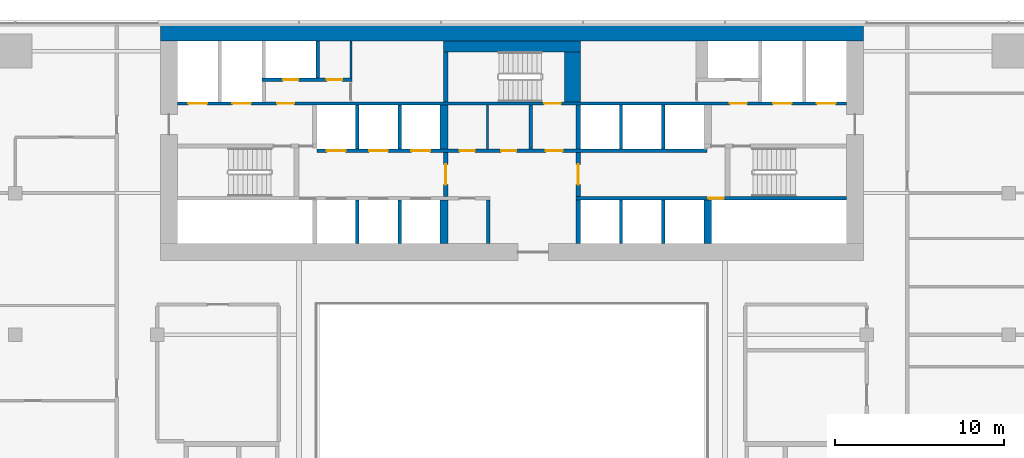
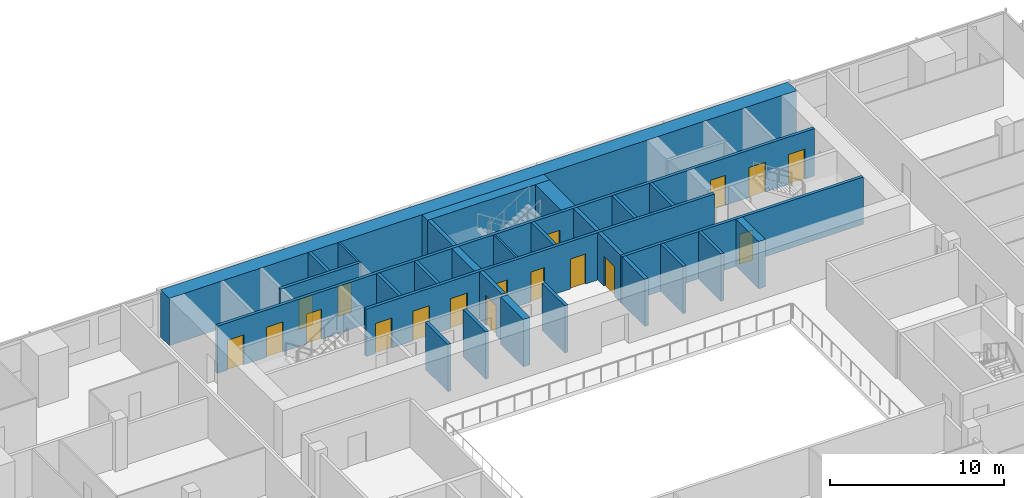
# One storey, part 19 of 27: 28 walls, 18 doors, 18 openings.
"""IFC4 building model written with IfcOpenShell, lengths in metres."""

from ifc_helpers import new_model, si_unit, direction, frame, frame_2d, origin, place, context, subcontext, project, spatial, rectangle, extrude, material, layer, layer_set, type_object, element, fill, save


model = new_model("IFC4")

# Units and contexts
model_context = context("Model", 3, precision=1e-05, world=origin(), true_north=direction((0.0, 1.0)))
body_context = subcontext(model_context, "Body", "Model", "MODEL_VIEW")
ifc_project = project(units=[si_unit("LENGTHUNIT", "METRE"), si_unit("AREAUNIT", "SQUARE_METRE"), si_unit("VOLUMEUNIT", "CUBIC_METRE"), si_unit("PLANEANGLEUNIT", "RADIAN"), si_unit("MASSUNIT", "GRAM", prefix="KILO")], contexts=[model_context])

# Site, building, storey
site_placement = place(None, origin())
site = spatial("IfcSite", under=ifc_project, at=site_placement, CompositionType="ELEMENT")
building_placement = place(site_placement, origin())
building = spatial("IfcBuilding", under=site, at=building_placement, Name="Saffron Gate Tower", CompositionType="ELEMENT")
storey_placement = place(building_placement, frame((0.0, 0.0, 134.85009765625)))
storey = spatial("IfcBuildingStorey", under=building, at=storey_placement, Name="L32", CompositionType="ELEMENT", Elevation=134.85009765625)

# Walls
ifc_material_1 = material(Name="Gypsum board partition on steel studs", Category="steel")
ifc_layer_1 = layer(ifc_material_1, 0.199951171875)
ifc_layer_set_1 = layer_set([ifc_layer_1], Name="CW10 Core partition 200")
wall_type_1 = type_object("IfcWallType", Name="CW10 Core partition 200", PredefinedType="PARTITIONING", material=ifc_layer_set_1)
for number, where, z_axis, x_axis, name in (
    (1, (86.199951171875, 62.39990234375, 0.0), (0.0, 0.0, 1.0), (0.0, 1.0, 0.0), "Wall CW10-L32-9"),
    (2, (88.699951171875, 68.0, 0.0), (0.0, 0.0, 1.0), (0.0, 1.0, 0.0), "Wall CW10-L32-25"),
):
    element("IfcWall", number, at=place(storey_placement, frame(where, z_axis=z_axis, x_axis=x_axis)), inside=storey, type_object=wall_type_1, Name=name, PredefinedType="PARTITIONING", context=body_context, shape_type="SweptSolid", body=[
        extrude(rectangle(XDim=2.60009765625, YDim=0.199951171875, at=frame_2d((1.300048828125, 0.0))), origin(), (0.0, 0.0, 1.0), 3.31982421875),
    ])
ifc_material_2 = material(Name="Concrete C70", Category="concrete")
ifc_layer_2 = layer(ifc_material_2, 1.0)
ifc_layer_set_2 = layer_set([ifc_layer_2], Name="CW12 RC core wall 1000 C70")
wall_type_2 = type_object("IfcWallType", Name="CW12 RC core wall 1000 C70", PredefinedType="SOLIDWALL", material=ifc_layer_set_2)
wall_1_placement = place(storey_placement, frame((66.800048828125, 74.89990234375, 0.0), z_axis=(0.0, 0.0, 1.0), x_axis=(1.0, 0.0, 0.0)))
element("IfcWall", 3, at=wall_1_placement, inside=storey, type_object=wall_type_2, Name="Wall CW12-L32-2", PredefinedType="SOLIDWALL", context=body_context, shape_type="SweptSolid", body=[
    extrude(rectangle(XDim=41.599853515625, YDim=1.0, at=frame_2d((20.7998046875, 0.0))), origin(), (0.0, 0.0, 1.0), 3.31982421875),
])
ifc_layer_3 = layer(ifc_material_2, 0.25)
ifc_layer_set_3 = layer_set([ifc_layer_3], Name="CW2 RC core wall 250 C70")
wall_type_3 = type_object("IfcWallType", Name="CW2 RC core wall 250 C70", PredefinedType="SOLIDWALL", material=ifc_layer_set_3)
wall_2_placement = place(storey_placement, frame((91.52490234375, 62.39990234375, 0.0), z_axis=(0.0, 0.0, 1.0), x_axis=(0.0, 1.0, 0.0)))
element("IfcWall", 4, at=wall_2_placement, inside=storey, type_object=wall_type_3, Name="Wall CW2-L32-10", PredefinedType="SOLIDWALL", context=body_context, shape_type="SweptSolid", body=[
    extrude(rectangle(XDim=2.60009765625, YDim=0.25, at=frame_2d((1.300048828125, 0.0))), origin(), (0.0, 0.0, 1.0), 3.31982421875),
])

# Wall, opening, door
wall_3_placement = place(storey_placement, frame((83.675048828125, 65.199951171875, 0.0), z_axis=(0.0, 0.0, 1.0), x_axis=(0.0, 1.0, 0.0)))
wall_3 = element("IfcWall", 5, at=wall_3_placement, inside=storey, type_object=wall_type_3, Name="Wall CW2-L32-17", PredefinedType="SOLIDWALL", context=body_context, shape_type="SweptSolid", body=[
    extrude(rectangle(XDim=2.60009765625, YDim=0.25, at=frame_2d((1.300048828125, 0.0))), origin(), (0.0, 0.0, 1.0), 3.31982421875),
])
opening_1_placement = place(wall_3_placement, frame((0.699951171875, 0.0, 0.0)))
opening_1 = element("IfcOpeningElement", 6, at=opening_1_placement, cuts=wall_3, Name="Opening CR-07", PredefinedType="OPENING", context=body_context, shape_type="SweptSolid", body=[
    extrude(rectangle(XDim=1.199951171875, YDim=2.10009765625, at=frame_2d((0.60009765625, 1.050048828125))), frame((0.0, 0.135009765625, 0.0), z_axis=(0.0, -1.0, 0.0), x_axis=(1.0, 0.0, 0.0)), (0.0, 0.0, 1.0), 0.27001953125),
])
ifc_material_3 = material(Name="Steel fire door set", Category="steel")
door_type_1 = type_object("IfcDoorType", Name="CD3 Lobby door 1200x2100 EI 120", OperationType="NOTDEFINED", PredefinedType="DOOR", material=ifc_material_3)
door_1_placement = place(opening_1_placement, origin())
door_1 = element("IfcDoor", 7, at=door_1_placement, inside=storey, type_object=door_type_1, Name="DOOR CR-07", OperationType="SINGLE_SWING_RIGHT", OverallHeight=2.10009765625, OverallWidth=1.199951171875, PredefinedType="DOOR", context=body_context, shape_type="SweptSolid", body=[
    extrude(rectangle(XDim=1.199951171875, YDim=2.10009765625, at=frame_2d((0.60009765625, 1.050048828125))), frame((0.0, 0.02490234375, 0.0), z_axis=(0.0, -1.0, 0.0), x_axis=(1.0, 0.0, 0.0)), (0.0, 0.0, 1.0), 0.050048828125),
])
fill(opening_1, door_1)

wall_4_placement = place(storey_placement, frame((91.52490234375, 65.199951171875, 0.0), z_axis=(0.0, 0.0, 1.0), x_axis=(0.0, 1.0, 0.0)))
wall_4 = element("IfcWall", 8, at=wall_4_placement, inside=storey, type_object=wall_type_3, Name="Wall CW2-L32-18", PredefinedType="SOLIDWALL", context=body_context, shape_type="SweptSolid", body=[
    extrude(rectangle(XDim=2.60009765625, YDim=0.25, at=frame_2d((1.300048828125, 0.0))), origin(), (0.0, 0.0, 1.0), 3.31982421875),
])
opening_2_placement = place(wall_4_placement, frame((0.699951171875, 0.0, 0.0)))
opening_2 = element("IfcOpeningElement", 9, at=opening_2_placement, cuts=wall_4, Name="Opening CR-01", PredefinedType="OPENING", context=body_context, shape_type="SweptSolid", body=[
    extrude(rectangle(XDim=1.199951171875, YDim=2.10009765625, at=frame_2d((0.60009765625, 1.050048828125))), frame((0.0, 0.135009765625, 0.0), z_axis=(0.0, -1.0, 0.0), x_axis=(1.0, 0.0, 0.0)), (0.0, 0.0, 1.0), 0.27001953125),
])
door_2_placement = place(opening_2_placement, origin())
door_2 = element("IfcDoor", 10, at=door_2_placement, inside=storey, type_object=door_type_1, Name="DOOR CR-01", OperationType="SINGLE_SWING_RIGHT", OverallHeight=2.10009765625, OverallWidth=1.199951171875, PredefinedType="DOOR", context=body_context, shape_type="SweptSolid", body=[
    extrude(rectangle(XDim=1.199951171875, YDim=2.10009765625, at=frame_2d((0.60009765625, 1.050048828125))), frame((0.0, 0.02490234375, 0.0), z_axis=(0.0, -1.0, 0.0), x_axis=(1.0, 0.0, 0.0)), (0.0, 0.0, 1.0), 0.050048828125),
])
fill(opening_2, door_2)

# Walls
wall_5_placement = place(storey_placement, frame((91.52490234375, 68.0, 0.0), z_axis=(0.0, 0.0, 1.0), x_axis=(0.0, 1.0, 0.0)))
element("IfcWall", 11, at=wall_5_placement, inside=storey, type_object=wall_type_3, Name="Wall CW2-L32-26", PredefinedType="SOLIDWALL", context=body_context, shape_type="SweptSolid", body=[
    extrude(rectangle(XDim=2.60009765625, YDim=0.25, at=frame_2d((1.300048828125, 0.0))), origin(), (0.0, 0.0, 1.0), 3.31982421875),
])
wall_6_placement = place(storey_placement, frame((83.675048828125, 70.800048828125, 0.0), z_axis=(0.0, 0.0, 1.0), x_axis=(0.0, 1.0, 0.0)))
element("IfcWall", 12, at=wall_6_placement, inside=storey, type_object=wall_type_3, Name="Wall CW2-L32-38", PredefinedType="SOLIDWALL", context=body_context, shape_type="SweptSolid", body=[
    extrude(rectangle(XDim=2.949951171875, YDim=0.25, at=frame_2d((1.47509765625, 0.0))), origin(), (0.0, 0.0, 1.0), 3.31982421875),
])
ifc_layer_4 = layer(ifc_material_2, 0.199951171875)
ifc_layer_set_4 = layer_set([ifc_layer_4], Name="CW3 RC core wall 200 C70")
wall_type_4 = type_object("IfcWallType", Name="CW3 RC core wall 200 C70", PredefinedType="SOLIDWALL", material=ifc_layer_set_4)
for number, where, z_axis, x_axis, name in (
    (13, (78.449951171875, 62.39990234375, 0.0), (0.0, 0.0, 1.0), (0.0, 1.0, 0.0), "Wall CW3-L32-6"),
    (14, (80.949951171875, 62.39990234375, 0.0), (0.0, 0.0, 1.0), (0.0, 1.0, 0.0), "Wall CW3-L32-7"),
    (15, (94.050048828125, 62.39990234375, 0.0), (0.0, 0.0, 1.0), (0.0, 1.0, 0.0), "Wall CW3-L32-11"),
    (16, (96.550048828125, 62.39990234375, 0.0), (0.0, 0.0, 1.0), (0.0, 1.0, 0.0), "Wall CW3-L32-12"),
):
    element("IfcWall", number, at=place(storey_placement, frame(where, z_axis=z_axis, x_axis=x_axis)), inside=storey, type_object=wall_type_4, Name=name, PredefinedType="SOLIDWALL", context=body_context, shape_type="SweptSolid", body=[
        extrude(rectangle(XDim=2.60009765625, YDim=0.199951171875, at=frame_2d((1.300048828125, 0.0))), origin(), (0.0, 0.0, 1.0), 3.31982421875),
    ])

# Wall, opening, door
wall_7_placement = place(storey_placement, frame((91.39990234375, 65.10009765625, 0.0), z_axis=(0.0, 0.0, 1.0), x_axis=(1.0, 0.0, 0.0)))
wall_7 = element("IfcWall", 17, at=wall_7_placement, inside=storey, type_object=wall_type_4, Name="Wall CW3-L32-15", PredefinedType="SOLIDWALL", context=body_context, shape_type="SweptSolid", body=[
    extrude(rectangle(XDim=16.0, YDim=0.199951171875, at=frame_2d((8.0, 0.0))), origin(), (0.0, 0.0, 1.0), 3.31982421875),
])
opening_3_placement = place(wall_7_placement, frame((7.830078125, 0.0, 0.0)))
opening_3 = element("IfcOpeningElement", 18, at=opening_3_placement, cuts=wall_7, Name="Opening CR-48", PredefinedType="OPENING", context=body_context, shape_type="SweptSolid", body=[
    extrude(rectangle(XDim=0.89990234375, YDim=2.10009765625, at=frame_2d((0.449951171875, 1.050048828125))), frame((0.0, 0.10986328125, 0.0), z_axis=(0.0, -1.0, 0.0), x_axis=(1.0, 0.0, 0.0)), (0.0, 0.0, 1.0), 0.219970703125),
])
door_type_2 = type_object("IfcDoorType", Name="CD2 Riser door 900x2100 EI 60", OperationType="NOTDEFINED", PredefinedType="DOOR", material=ifc_material_3)
door_3_placement = place(opening_3_placement, origin())
door_3 = element("IfcDoor", 19, at=door_3_placement, inside=storey, type_object=door_type_2, Name="DOOR CR-48", OperationType="SINGLE_SWING_RIGHT", OverallHeight=2.10009765625, OverallWidth=0.89990234375, PredefinedType="DOOR", context=body_context, shape_type="SweptSolid", body=[
    extrude(rectangle(XDim=0.89990234375, YDim=2.10009765625, at=frame_2d((0.449951171875, 1.050048828125))), frame((0.0, 0.02490234375, 0.0), z_axis=(0.0, -1.0, 0.0), x_axis=(1.0, 0.0, 0.0)), (0.0, 0.0, 1.0), 0.050048828125),
])
fill(opening_3, door_3)

# Wall, openings, doors
wall_8_placement = place(storey_placement, frame((76.050048828125, 67.89990234375, 0.0), z_axis=(0.0, 0.0, 1.0), x_axis=(1.0, 0.0, 0.0)))
wall_8 = element("IfcWall", 20, at=wall_8_placement, inside=storey, type_object=wall_type_4, Name="Wall CW3-L32-20", PredefinedType="SOLIDWALL", context=body_context, shape_type="SweptSolid", body=[
    extrude(rectangle(XDim=23.099853515625, YDim=0.199951171875, at=frame_2d((11.5498046875, 0.0))), origin(), (0.0, 0.0, 1.0), 3.31982421875),
])
opening_4_placement = place(wall_8_placement, frame((0.60009765625, 0.0, 0.0)))
opening_4 = element("IfcOpeningElement", 21, at=opening_4_placement, cuts=wall_8, Name="Opening LD-LR4", PredefinedType="OPENING", context=body_context, shape_type="SweptSolid", body=[
    extrude(rectangle(XDim=1.10009765625, YDim=2.10009765625, at=frame_2d((0.550048828125, 1.050048828125))), frame((0.0, 0.10986328125, 0.0), z_axis=(0.0, -1.0, 0.0), x_axis=(1.0, 0.0, 0.0)), (0.0, 0.0, 1.0), 0.219970703125),
])
opening_5_placement = place(wall_8_placement, frame((3.10009765625, 0.0, 0.0)))
opening_5 = element("IfcOpeningElement", 22, at=opening_5_placement, cuts=wall_8, Name="Opening LD-LR5", PredefinedType="OPENING", context=body_context, shape_type="SweptSolid", body=[
    extrude(rectangle(XDim=1.10009765625, YDim=2.10009765625, at=frame_2d((0.550048828125, 1.050048828125))), frame((0.0, 0.10986328125, 0.0), z_axis=(0.0, -1.0, 0.0), x_axis=(1.0, 0.0, 0.0)), (0.0, 0.0, 1.0), 0.219970703125),
])
opening_6_placement = place(wall_8_placement, frame((5.60009765625, 0.0, 0.0)))
opening_6 = element("IfcOpeningElement", 23, at=opening_6_placement, cuts=wall_8, Name="Opening LD-LR6", PredefinedType="OPENING", context=body_context, shape_type="SweptSolid", body=[
    extrude(rectangle(XDim=1.10009765625, YDim=2.10009765625, at=frame_2d((0.550048828125, 1.050048828125))), frame((0.0, 0.10986328125, 0.0), z_axis=(0.0, -1.0, 0.0), x_axis=(1.0, 0.0, 0.0)), (0.0, 0.0, 1.0), 0.219970703125),
])
opening_7_placement = place(wall_8_placement, frame((8.449951171875, 0.0, 0.0)))
opening_7 = element("IfcOpeningElement", 24, at=opening_7_placement, cuts=wall_8, Name="Opening CR-67", PredefinedType="OPENING", context=body_context, shape_type="SweptSolid", body=[
    extrude(rectangle(XDim=0.89990234375, YDim=2.10009765625, at=frame_2d((0.449951171875, 1.050048828125))), frame((0.0, 0.10986328125, 0.0), z_axis=(0.0, -1.0, 0.0), x_axis=(1.0, 0.0, 0.0)), (0.0, 0.0, 1.0), 0.219970703125),
])
opening_8_placement = place(wall_8_placement, frame((10.909912109375, 0.0, 0.0)))
opening_8 = element("IfcOpeningElement", 25, at=opening_8_placement, cuts=wall_8, Name="Opening CR-68", PredefinedType="OPENING", context=body_context, shape_type="SweptSolid", body=[
    extrude(rectangle(XDim=0.89990234375, YDim=2.10009765625, at=frame_2d((0.449951171875, 1.050048828125))), frame((0.0, 0.10986328125, 0.0), z_axis=(0.0, -1.0, 0.0), x_axis=(1.0, 0.0, 0.0)), (0.0, 0.0, 1.0), 0.219970703125),
])
opening_9_placement = place(wall_8_placement, frame((13.550048828125, 0.0, 0.0)))
opening_9 = element("IfcOpeningElement", 26, at=opening_9_placement, cuts=wall_8, Name="Opening CR-02", PredefinedType="OPENING", context=body_context, shape_type="SweptSolid", body=[
    extrude(rectangle(XDim=1.0, YDim=2.10009765625, at=frame_2d((0.5, 1.050048828125))), frame((0.0, 0.10986328125, 0.0), z_axis=(0.0, -1.0, 0.0), x_axis=(1.0, 0.0, 0.0)), (0.0, 0.0, 1.0), 0.219970703125),
])
door_type_3 = type_object("IfcDoorType", Name="CD4 Lobby door 1000x2100 EI 120", OperationType="NOTDEFINED", PredefinedType="DOOR", material=ifc_material_3)
door_4_placement = place(opening_9_placement, origin())
door_4 = element("IfcDoor", 27, at=door_4_placement, inside=storey, type_object=door_type_3, Name="DOOR CR-02", OperationType="SINGLE_SWING_LEFT", OverallHeight=2.10009765625, OverallWidth=1.0, PredefinedType="DOOR", context=body_context, shape_type="SweptSolid", body=[
    extrude(rectangle(XDim=1.0, YDim=2.10009765625, at=frame_2d((0.5, 1.050048828125))), frame((0.0, 0.02490234375, 0.0), z_axis=(0.0, -1.0, 0.0), x_axis=(1.0, 0.0, 0.0)), (0.0, 0.0, 1.0), 0.050048828125),
])
fill(opening_9, door_4)
door_type_4 = type_object("IfcDoorType", Name="CD9 Room door 900x2100 EI 60", OperationType="NOTDEFINED", PredefinedType="DOOR", material=ifc_material_3)
door_5_placement = place(opening_7_placement, origin())
door_5 = element("IfcDoor", 28, at=door_5_placement, inside=storey, type_object=door_type_4, Name="DOOR CR-67", OperationType="SINGLE_SWING_LEFT", OverallHeight=2.10009765625, OverallWidth=0.89990234375, PredefinedType="DOOR", context=body_context, shape_type="SweptSolid", body=[
    extrude(rectangle(XDim=0.89990234375, YDim=2.10009765625, at=frame_2d((0.449951171875, 1.050048828125))), frame((0.0, 0.02490234375, 0.0), z_axis=(0.0, -1.0, 0.0), x_axis=(1.0, 0.0, 0.0)), (0.0, 0.0, 1.0), 0.050048828125),
])
fill(opening_7, door_5)
door_6_placement = place(opening_8_placement, origin())
door_6 = element("IfcDoor", 29, at=door_6_placement, inside=storey, type_object=door_type_4, Name="DOOR CR-68", OperationType="SINGLE_SWING_LEFT", OverallHeight=2.10009765625, OverallWidth=0.89990234375, PredefinedType="DOOR", context=body_context, shape_type="SweptSolid", body=[
    extrude(rectangle(XDim=0.89990234375, YDim=2.10009765625, at=frame_2d((0.449951171875, 1.050048828125))), frame((0.0, 0.02490234375, 0.0), z_axis=(0.0, -1.0, 0.0), x_axis=(1.0, 0.0, 0.0)), (0.0, 0.0, 1.0), 0.050048828125),
])
fill(opening_8, door_6)
ifc_material_4 = material(Name="Stainless steel landing door", Category="steel")
door_type_5 = type_object("IfcDoorType", Name="LD Lift landing door 1100x2100 EI 120", OperationType="SLIDING_TO_LEFT", PredefinedType="DOOR", material=ifc_material_4)
door_7_placement = place(opening_4_placement, origin())
door_7 = element("IfcDoor", 30, at=door_7_placement, inside=storey, type_object=door_type_5, Name="LANDING DOOR LD-LR4", OperationType="SLIDING_TO_RIGHT", OverallHeight=2.10009765625, OverallWidth=1.10009765625, PredefinedType="DOOR", context=body_context, shape_type="SweptSolid", body=[
    extrude(rectangle(XDim=1.10009765625, YDim=2.10009765625, at=frame_2d((0.550048828125, 1.050048828125))), frame((0.0, 0.02490234375, 0.0), z_axis=(0.0, -1.0, 0.0), x_axis=(1.0, 0.0, 0.0)), (0.0, 0.0, 1.0), 0.050048828125),
])
fill(opening_4, door_7)
door_8_placement = place(opening_5_placement, origin())
door_8 = element("IfcDoor", 31, at=door_8_placement, inside=storey, type_object=door_type_5, Name="LANDING DOOR LD-LR5", OperationType="SLIDING_TO_RIGHT", OverallHeight=2.10009765625, OverallWidth=1.10009765625, PredefinedType="DOOR", context=body_context, shape_type="SweptSolid", body=[
    extrude(rectangle(XDim=1.10009765625, YDim=2.10009765625, at=frame_2d((0.550048828125, 1.050048828125))), frame((0.0, 0.02490234375, 0.0), z_axis=(0.0, -1.0, 0.0), x_axis=(1.0, 0.0, 0.0)), (0.0, 0.0, 1.0), 0.050048828125),
])
fill(opening_5, door_8)
door_9_placement = place(opening_6_placement, origin())
door_9 = element("IfcDoor", 32, at=door_9_placement, inside=storey, type_object=door_type_5, Name="LANDING DOOR LD-LR6", OperationType="SLIDING_TO_RIGHT", OverallHeight=2.10009765625, OverallWidth=1.10009765625, PredefinedType="DOOR", context=body_context, shape_type="SweptSolid", body=[
    extrude(rectangle(XDim=1.10009765625, YDim=2.10009765625, at=frame_2d((0.550048828125, 1.050048828125))), frame((0.0, 0.02490234375, 0.0), z_axis=(0.0, -1.0, 0.0), x_axis=(1.0, 0.0, 0.0)), (0.0, 0.0, 1.0), 0.050048828125),
])
fill(opening_6, door_9)

# Walls
for number, where, z_axis, x_axis, name in (
    (33, (78.449951171875, 68.0, 0.0), (0.0, 0.0, 1.0), (0.0, 1.0, 0.0), "Wall CW3-L32-21"),
    (34, (80.949951171875, 68.0, 0.0), (0.0, 0.0, 1.0), (0.0, 1.0, 0.0), "Wall CW3-L32-22"),
    (35, (94.050048828125, 68.0, 0.0), (0.0, 0.0, 1.0), (0.0, 1.0, 0.0), "Wall CW3-L32-27"),
    (36, (96.550048828125, 68.0, 0.0), (0.0, 0.0, 1.0), (0.0, 1.0, 0.0), "Wall CW3-L32-28"),
):
    element("IfcWall", number, at=place(storey_placement, frame(where, z_axis=z_axis, x_axis=x_axis)), inside=storey, type_object=wall_type_4, Name=name, PredefinedType="SOLIDWALL", context=body_context, shape_type="SweptSolid", body=[
        extrude(rectangle(XDim=2.60009765625, YDim=0.199951171875, at=frame_2d((1.300048828125, 0.0))), origin(), (0.0, 0.0, 1.0), 3.31982421875),
    ])

# Wall, openings, doors
wall_9_placement = place(storey_placement, frame((67.800048828125, 70.699951171875, 0.0), z_axis=(0.0, 0.0, 1.0), x_axis=(1.0, 0.0, 0.0)))
wall_9 = element("IfcWall", 37, at=wall_9_placement, inside=storey, type_object=wall_type_4, Name="Wall CW3-L32-34", PredefinedType="SOLIDWALL", context=body_context, shape_type="SweptSolid", body=[
    extrude(rectangle(XDim=39.599853515625, YDim=0.199951171875, at=frame_2d((19.7998046875, 0.0))), origin(), (0.0, 0.0, 1.0), 3.31982421875),
])
opening_10_placement = place(wall_9_placement, frame((0.64990234375, 0.0, 0.0)))
opening_10 = element("IfcOpeningElement", 38, at=opening_10_placement, cuts=wall_9, Name="Opening LD-FF1", PredefinedType="OPENING", context=body_context, shape_type="SweptSolid", body=[
    extrude(rectangle(XDim=1.10009765625, YDim=2.10009765625, at=frame_2d((0.550048828125, 1.050048828125))), frame((0.0, 0.10986328125, 0.0), z_axis=(0.0, -1.0, 0.0), x_axis=(1.0, 0.0, 0.0)), (0.0, 0.0, 1.0), 0.219970703125),
])
opening_11_placement = place(wall_9_placement, frame((3.25, 0.0, 0.0)))
opening_11 = element("IfcOpeningElement", 39, at=opening_11_placement, cuts=wall_9, Name="Opening LD-SV1", PredefinedType="OPENING", context=body_context, shape_type="SweptSolid", body=[
    extrude(rectangle(XDim=1.10009765625, YDim=2.10009765625, at=frame_2d((0.550048828125, 1.050048828125))), frame((0.0, 0.10986328125, 0.0), z_axis=(0.0, -1.0, 0.0), x_axis=(1.0, 0.0, 0.0)), (0.0, 0.0, 1.0), 0.219970703125),
])
opening_12_placement = place(wall_9_placement, frame((5.89990234375, 0.0, 0.0)))
opening_12 = element("IfcOpeningElement", 40, at=opening_12_placement, cuts=wall_9, Name="Opening CR-03", PredefinedType="OPENING", context=body_context, shape_type="SweptSolid", body=[
    extrude(rectangle(XDim=1.0, YDim=2.10009765625, at=frame_2d((0.5, 1.050048828125))), frame((0.0, 0.10986328125, 0.0), z_axis=(0.0, -1.0, 0.0), x_axis=(1.0, 0.0, 0.0)), (0.0, 0.0, 1.0), 0.219970703125),
])
opening_13_placement = place(wall_9_placement, frame((21.699951171875, 0.0, 0.0)))
opening_13 = element("IfcOpeningElement", 41, at=opening_13_placement, cuts=wall_9, Name="Opening CR-17", PredefinedType="OPENING", context=body_context, shape_type="SweptSolid", body=[
    extrude(rectangle(XDim=1.0, YDim=2.10009765625, at=frame_2d((0.5, 1.050048828125))), frame((0.0, 0.10986328125, 0.0), z_axis=(0.0, -1.0, 0.0), x_axis=(1.0, 0.0, 0.0)), (0.0, 0.0, 1.0), 0.219970703125),
])
opening_14_placement = place(wall_9_placement, frame((32.699951171875, 0.0, 0.0)))
opening_14 = element("IfcOpeningElement", 42, at=opening_14_placement, cuts=wall_9, Name="Opening CR-04", PredefinedType="OPENING", context=body_context, shape_type="SweptSolid", body=[
    extrude(rectangle(XDim=1.0, YDim=2.10009765625, at=frame_2d((0.5, 1.050048828125))), frame((0.0, 0.10986328125, 0.0), z_axis=(0.0, -1.0, 0.0), x_axis=(1.0, 0.0, 0.0)), (0.0, 0.0, 1.0), 0.219970703125),
])
opening_15_placement = place(wall_9_placement, frame((35.25, 0.0, 0.0)))
opening_15 = element("IfcOpeningElement", 43, at=opening_15_placement, cuts=wall_9, Name="Opening LD-SV2", PredefinedType="OPENING", context=body_context, shape_type="SweptSolid", body=[
    extrude(rectangle(XDim=1.10009765625, YDim=2.10009765625, at=frame_2d((0.550048828125, 1.050048828125))), frame((0.0, 0.10986328125, 0.0), z_axis=(0.0, -1.0, 0.0), x_axis=(1.0, 0.0, 0.0)), (0.0, 0.0, 1.0), 0.219970703125),
])
opening_16_placement = place(wall_9_placement, frame((37.85009765625, 0.0, 0.0)))
opening_16 = element("IfcOpeningElement", 44, at=opening_16_placement, cuts=wall_9, Name="Opening LD-FF2", PredefinedType="OPENING", context=body_context, shape_type="SweptSolid", body=[
    extrude(rectangle(XDim=1.10009765625, YDim=2.10009765625, at=frame_2d((0.550048828125, 1.050048828125))), frame((0.0, 0.10986328125, 0.0), z_axis=(0.0, -1.0, 0.0), x_axis=(1.0, 0.0, 0.0)), (0.0, 0.0, 1.0), 0.219970703125),
])
door_10_placement = place(opening_12_placement, origin())
door_10 = element("IfcDoor", 45, at=door_10_placement, inside=storey, type_object=door_type_3, Name="DOOR CR-03", OperationType="SINGLE_SWING_LEFT", OverallHeight=2.10009765625, OverallWidth=1.0, PredefinedType="DOOR", context=body_context, shape_type="SweptSolid", body=[
    extrude(rectangle(XDim=1.0, YDim=2.10009765625, at=frame_2d((0.5, 1.050048828125))), frame((0.0, 0.02490234375, 0.0), z_axis=(0.0, -1.0, 0.0), x_axis=(1.0, 0.0, 0.0)), (0.0, 0.0, 1.0), 0.050048828125),
])
fill(opening_12, door_10)
door_11_placement = place(opening_14_placement, origin())
door_11 = element("IfcDoor", 46, at=door_11_placement, inside=storey, type_object=door_type_3, Name="DOOR CR-04", OperationType="SINGLE_SWING_RIGHT", OverallHeight=2.10009765625, OverallWidth=1.0, PredefinedType="DOOR", context=body_context, shape_type="SweptSolid", body=[
    extrude(rectangle(XDim=1.0, YDim=2.10009765625, at=frame_2d((0.5, 1.050048828125))), frame((0.0, 0.02490234375, 0.0), z_axis=(0.0, -1.0, 0.0), x_axis=(1.0, 0.0, 0.0)), (0.0, 0.0, 1.0), 0.050048828125),
])
fill(opening_14, door_11)
door_type_6 = type_object("IfcDoorType", Name="CD5 Stair door 1000x2100 EI 120", OperationType="NOTDEFINED", PredefinedType="DOOR", material=ifc_material_3)
door_12_placement = place(opening_13_placement, origin())
door_12 = element("IfcDoor", 47, at=door_12_placement, inside=storey, type_object=door_type_6, Name="DOOR CR-17", OperationType="SINGLE_SWING_RIGHT", OverallHeight=2.10009765625, OverallWidth=1.0, PredefinedType="DOOR", context=body_context, shape_type="SweptSolid", body=[
    extrude(rectangle(XDim=1.0, YDim=2.10009765625, at=frame_2d((0.5, 1.050048828125))), frame((0.0, 0.02490234375, 0.0), z_axis=(0.0, -1.0, 0.0), x_axis=(1.0, 0.0, 0.0)), (0.0, 0.0, 1.0), 0.050048828125),
])
fill(opening_13, door_12)
door_13_placement = place(opening_10_placement, origin())
door_13 = element("IfcDoor", 48, at=door_13_placement, inside=storey, type_object=door_type_5, Name="LANDING DOOR LD-FF1", OperationType="SLIDING_TO_RIGHT", OverallHeight=2.10009765625, OverallWidth=1.10009765625, PredefinedType="DOOR", context=body_context, shape_type="SweptSolid", body=[
    extrude(rectangle(XDim=1.10009765625, YDim=2.10009765625, at=frame_2d((0.550048828125, 1.050048828125))), frame((0.0, 0.02490234375, 0.0), z_axis=(0.0, -1.0, 0.0), x_axis=(1.0, 0.0, 0.0)), (0.0, 0.0, 1.0), 0.050048828125),
])
fill(opening_10, door_13)
door_14_placement = place(opening_11_placement, origin())
door_14 = element("IfcDoor", 49, at=door_14_placement, inside=storey, type_object=door_type_5, Name="LANDING DOOR LD-SV1", OperationType="SLIDING_TO_RIGHT", OverallHeight=2.10009765625, OverallWidth=1.10009765625, PredefinedType="DOOR", context=body_context, shape_type="SweptSolid", body=[
    extrude(rectangle(XDim=1.10009765625, YDim=2.10009765625, at=frame_2d((0.550048828125, 1.050048828125))), frame((0.0, 0.02490234375, 0.0), z_axis=(0.0, -1.0, 0.0), x_axis=(1.0, 0.0, 0.0)), (0.0, 0.0, 1.0), 0.050048828125),
])
fill(opening_11, door_14)
door_15_placement = place(opening_15_placement, origin())
door_15 = element("IfcDoor", 50, at=door_15_placement, inside=storey, type_object=door_type_5, Name="LANDING DOOR LD-SV2", OperationType="SLIDING_TO_RIGHT", OverallHeight=2.10009765625, OverallWidth=1.10009765625, PredefinedType="DOOR", context=body_context, shape_type="SweptSolid", body=[
    extrude(rectangle(XDim=1.10009765625, YDim=2.10009765625, at=frame_2d((0.550048828125, 1.050048828125))), frame((0.0, 0.02490234375, 0.0), z_axis=(0.0, -1.0, 0.0), x_axis=(1.0, 0.0, 0.0)), (0.0, 0.0, 1.0), 0.050048828125),
])
fill(opening_15, door_15)
door_16_placement = place(opening_16_placement, origin())
door_16 = element("IfcDoor", 51, at=door_16_placement, inside=storey, type_object=door_type_5, Name="LANDING DOOR LD-FF2", OperationType="SLIDING_TO_RIGHT", OverallHeight=2.10009765625, OverallWidth=1.10009765625, PredefinedType="DOOR", context=body_context, shape_type="SweptSolid", body=[
    extrude(rectangle(XDim=1.10009765625, YDim=2.10009765625, at=frame_2d((0.550048828125, 1.050048828125))), frame((0.0, 0.02490234375, 0.0), z_axis=(0.0, -1.0, 0.0), x_axis=(1.0, 0.0, 0.0)), (0.0, 0.0, 1.0), 0.050048828125),
])
fill(opening_16, door_16)

wall_10_placement = place(storey_placement, frame((72.800048828125, 72.10009765625, 0.0), z_axis=(0.0, 0.0, 1.0), x_axis=(1.0, 0.0, 0.0)))
wall_10 = element("IfcWall", 52, at=wall_10_placement, inside=storey, type_object=wall_type_4, Name="Wall CW3-L32-43", PredefinedType="SOLIDWALL", context=body_context, shape_type="SweptSolid", body=[
    extrude(rectangle(XDim=5.320068359375, YDim=0.199951171875, at=frame_2d((2.66015625, 0.0))), origin(), (0.0, 0.0, 1.0), 3.31982421875),
])
opening_17_placement = place(wall_10_placement, frame((1.25, 0.0, 0.0)))
opening_17 = element("IfcOpeningElement", 53, at=opening_17_placement, cuts=wall_10, Name="Opening CR-71", PredefinedType="OPENING", context=body_context, shape_type="SweptSolid", body=[
    extrude(rectangle(XDim=0.89990234375, YDim=2.10009765625, at=frame_2d((0.449951171875, 1.050048828125))), frame((0.0, 0.10986328125, 0.0), z_axis=(0.0, -1.0, 0.0), x_axis=(1.0, 0.0, 0.0)), (0.0, 0.0, 1.0), 0.219970703125),
])
opening_18_placement = place(wall_10_placement, frame((3.85009765625, 0.0, 0.0)))
opening_18 = element("IfcOpeningElement", 54, at=opening_18_placement, cuts=wall_10, Name="Opening CR-55", PredefinedType="OPENING", context=body_context, shape_type="SweptSolid", body=[
    extrude(rectangle(XDim=0.89990234375, YDim=2.10009765625, at=frame_2d((0.449951171875, 1.050048828125))), frame((0.0, 0.10986328125, 0.0), z_axis=(0.0, -1.0, 0.0), x_axis=(1.0, 0.0, 0.0)), (0.0, 0.0, 1.0), 0.219970703125),
])
door_17_placement = place(opening_17_placement, origin())
door_17 = element("IfcDoor", 55, at=door_17_placement, inside=storey, type_object=door_type_2, Name="DOOR CR-71", OperationType="SINGLE_SWING_LEFT", OverallHeight=2.10009765625, OverallWidth=0.89990234375, PredefinedType="DOOR", context=body_context, shape_type="SweptSolid", body=[
    extrude(rectangle(XDim=0.89990234375, YDim=2.10009765625, at=frame_2d((0.449951171875, 1.050048828125))), frame((0.0, 0.02490234375, 0.0), z_axis=(0.0, -1.0, 0.0), x_axis=(1.0, 0.0, 0.0)), (0.0, 0.0, 1.0), 0.050048828125),
])
fill(opening_17, door_17)
door_18_placement = place(opening_18_placement, origin())
door_18 = element("IfcDoor", 56, at=door_18_placement, inside=storey, type_object=door_type_4, Name="DOOR CR-55", OperationType="SINGLE_SWING_LEFT", OverallHeight=2.10009765625, OverallWidth=0.89990234375, PredefinedType="DOOR", context=body_context, shape_type="SweptSolid", body=[
    extrude(rectangle(XDim=0.89990234375, YDim=2.10009765625, at=frame_2d((0.449951171875, 1.050048828125))), frame((0.0, 0.02490234375, 0.0), z_axis=(0.0, -1.0, 0.0), x_axis=(1.0, 0.0, 0.0)), (0.0, 0.0, 1.0), 0.050048828125),
])
fill(opening_18, door_18)

# Walls
wall_11_placement = place(storey_placement, frame((76.10009765625, 72.199951171875, 0.0), z_axis=(0.0, 0.0, 1.0), x_axis=(0.0, 1.0, 0.0)))
element("IfcWall", 57, at=wall_11_placement, inside=storey, type_object=wall_type_4, Name="Wall CW3-L32-46", PredefinedType="SOLIDWALL", context=body_context, shape_type="SweptSolid", body=[
    extrude(rectangle(XDim=2.199951171875, YDim=0.199951171875, at=frame_2d((1.10009765625, 0.0))), origin(), (0.0, 0.0, 1.0), 3.31982421875),
])
ifc_layer_5 = layer(ifc_material_2, 0.449951171875)
ifc_layer_set_5 = layer_set([ifc_layer_5], Name="CW4 RC core wall 450 C70")
wall_type_5 = type_object("IfcWallType", Name="CW4 RC core wall 450 C70", PredefinedType="SOLIDWALL", material=ifc_layer_set_5)
for number, where, z_axis, x_axis, name in (
    (58, (83.574951171875, 62.39990234375, 0.0), (0.0, 0.0, 1.0), (0.0, 1.0, 0.0), "Wall CW4-L32-8"),
    (59, (99.175048828125, 62.39990234375, 0.0), (0.0, 0.0, 1.0), (0.0, 1.0, 0.0), "Wall CW4-L32-13"),
    (60, (83.574951171875, 68.0, 0.0), (0.0, 0.0, 1.0), (0.0, 1.0, 0.0), "Wall CW4-L32-23"),
):
    element("IfcWall", number, at=place(storey_placement, frame(where, z_axis=z_axis, x_axis=x_axis)), inside=storey, type_object=wall_type_5, Name=name, PredefinedType="SOLIDWALL", context=body_context, shape_type="SweptSolid", body=[
        extrude(rectangle(XDim=2.60009765625, YDim=0.449951171875, at=frame_2d((1.300048828125, 0.0))), origin(), (0.0, 0.0, 1.0), 3.31982421875),
    ])
ifc_layer_6 = layer(ifc_material_2, 0.949951171875)
ifc_layer_set_6 = layer_set([ifc_layer_6], Name="CW7 RC core wall 950 C70")
wall_type_6 = type_object("IfcWallType", Name="CW7 RC core wall 950 C70", PredefinedType="SOLIDWALL", material=ifc_layer_set_6)
wall_12_placement = place(storey_placement, frame((91.175048828125, 70.800048828125, 0.0), z_axis=(0.0, 0.0, 1.0), x_axis=(0.0, 1.0, 0.0)))
element("IfcWall", 61, at=wall_12_placement, inside=storey, type_object=wall_type_6, Name="Wall CW7-L32-39", PredefinedType="SOLIDWALL", context=body_context, shape_type="SweptSolid", body=[
    extrude(rectangle(XDim=2.949951171875, YDim=0.949951171875, at=frame_2d((1.47509765625, 0.0))), origin(), (0.0, 0.0, 1.0), 3.31982421875),
])
ifc_layer_7 = layer(ifc_material_1, 0.1201171875)
ifc_layer_set_7 = layer_set([ifc_layer_7], Name="CW8 Core partition 120")
wall_type_7 = type_object("IfcWallType", Name="CW8 Core partition 120", PredefinedType="PARTITIONING", material=ifc_layer_set_7)
wall_13_placement = place(storey_placement, frame((86.159912109375, 68.0, 0.0), z_axis=(0.0, 0.0, 1.0), x_axis=(0.0, 1.0, 0.0)))
element("IfcWall", 62, at=wall_13_placement, inside=storey, type_object=wall_type_7, Name="Wall CW8-L32-24", PredefinedType="PARTITIONING", context=body_context, shape_type="SweptSolid", body=[
    extrude(rectangle(XDim=2.60009765625, YDim=0.1201171875, at=frame_2d((1.300048828125, 0.0))), origin(), (0.0, 0.0, 1.0), 3.31982421875),
])
wall_14_placement = place(storey_placement, frame((78.06005859375, 72.199951171875, 0.0), z_axis=(0.0, 0.0, 1.0), x_axis=(0.0, 1.0, 0.0)))
element("IfcWall", 63, at=wall_14_placement, inside=storey, type_object=wall_type_7, Name="Wall CW8-L32-47", PredefinedType="PARTITIONING", context=body_context, shape_type="SweptSolid", body=[
    extrude(rectangle(XDim=2.199951171875, YDim=0.1201171875, at=frame_2d((1.10009765625, 0.0))), origin(), (0.0, 0.0, 1.0), 3.31982421875),
])
ifc_layer_8 = layer(ifc_material_2, 0.64990234375)
ifc_layer_set_8 = layer_set([ifc_layer_8], Name="CW9 RC core wall 650 C70")
wall_type_8 = type_object("IfcWallType", Name="CW9 RC core wall 650 C70", PredefinedType="SOLIDWALL", material=ifc_layer_set_8)
wall_15_placement = place(storey_placement, frame((83.550048828125, 74.074951171875, 0.0), z_axis=(0.0, 0.0, 1.0), x_axis=(1.0, 0.0, 0.0)))
element("IfcWall", 64, at=wall_15_placement, inside=storey, type_object=wall_type_8, Name="Wall CW9-L32-50", PredefinedType="SOLIDWALL", context=body_context, shape_type="SweptSolid", body=[
    extrude(rectangle(XDim=8.099853515625, YDim=0.64990234375, at=frame_2d((4.0498046875, 0.0))), origin(), (0.0, 0.0, 1.0), 3.31982421875),
])

save(model, "model.ifc")
